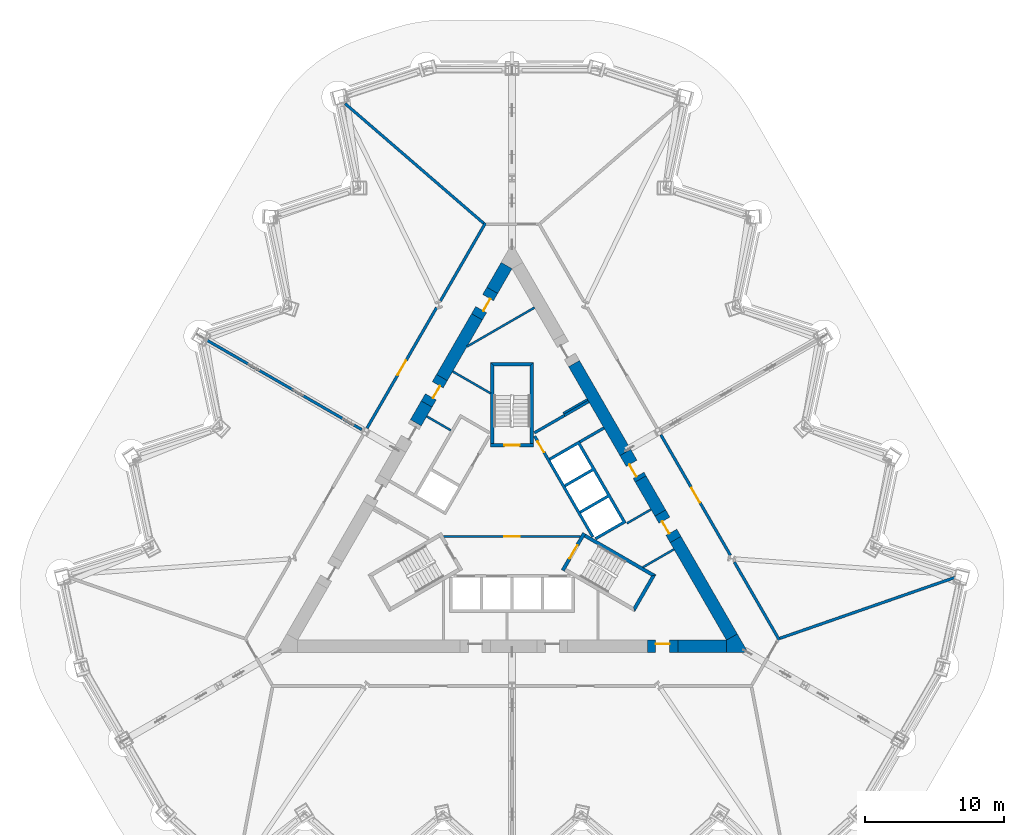
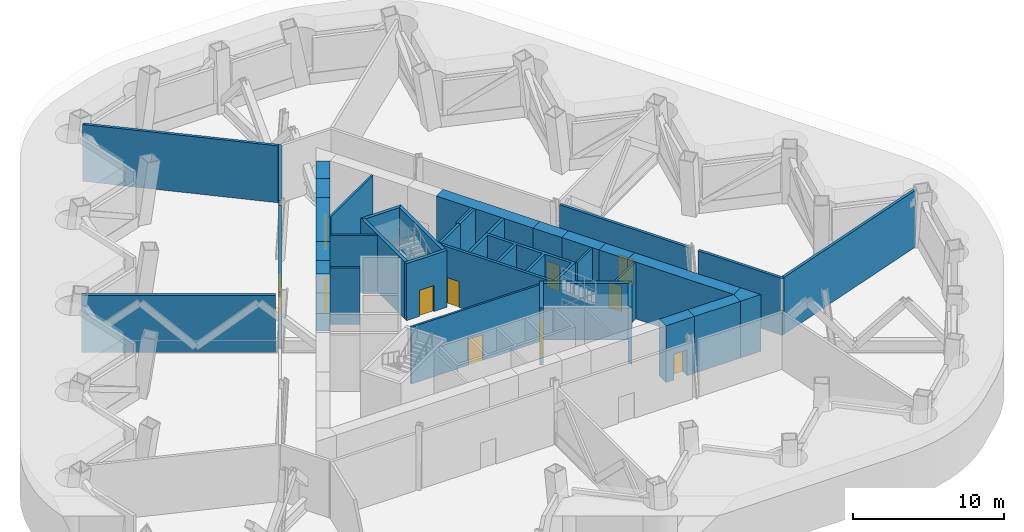
# One storey, part 6 of 14: 39 walls, 11 doors, 11 openings.
"""IFC4 building model written with IfcOpenShell, lengths in metres."""

from ifc_helpers import new_model, si_unit, direction, frame, frame_2d, origin, place, context, subcontext, project, spatial, polyline, rectangle, outline, extrude, material, layer, layer_set, type_object, element, fill, save


model = new_model("IFC4")

# Units and contexts
model_context = context("Model", 3, precision=1e-05, world=origin(), true_north=direction((0.0, 1.0)))
body_context = subcontext(model_context, "Body", "Model", "MODEL_VIEW")
ifc_project = project(units=[si_unit("LENGTHUNIT", "METRE"), si_unit("AREAUNIT", "SQUARE_METRE"), si_unit("VOLUMEUNIT", "CUBIC_METRE"), si_unit("PLANEANGLEUNIT", "RADIAN"), si_unit("MASSUNIT", "GRAM", prefix="KILO")], contexts=[model_context])

# Site, building, storey
site_placement = place(None, origin())
site = spatial("IfcSite", under=ifc_project, at=site_placement, CompositionType="ELEMENT")
building_placement = place(site_placement, origin())
building = spatial("IfcBuilding", under=site, at=building_placement, Name="Cormorant Prow Tower", CompositionType="ELEMENT")
storey_placement = place(building_placement, frame((0.0, 0.0, 94.60009765625)))
storey = spatial("IfcBuildingStorey", under=building, at=storey_placement, Name="L19", CompositionType="ELEMENT", Elevation=94.60009765625)

# Wall, opening, door
ifc_material_1 = material(Name="Gypsum board partition")
ifc_layer_1 = layer(ifc_material_1, 0.14990234375)
ifc_layer_set_1 = layer_set([ifc_layer_1], Name="Gypsum board partition")
wall_type_1 = type_object("IfcWallType", Name="Core partition 150", PredefinedType="PARTITIONING", material=ifc_layer_set_1)
wall_1_placement = place(storey_placement, frame((-4.941162109375, -1.449951171875, 0.0), z_axis=(0.0, 0.0, 1.0), x_axis=(1.0, 0.0, 0.0)))
wall_1 = element("IfcWall", 1, at=wall_1_placement, inside=storey, type_object=wall_type_1, Name="Firefighting lobby partition", PredefinedType="PARTITIONING", context=body_context, shape_type="SweptSolid", body=[
    extrude(rectangle(XDim=9.88232421875, YDim=0.14990234375, at=frame_2d((4.941162109375, 0.0))), origin(), (0.0, 0.0, 1.0), 4.599853515625),
])
opening_1_placement = place(wall_1_placement, frame((4.39111328125, 0.0, 0.0)))
opening_1 = element("IfcOpeningElement", 2, at=opening_1_placement, cuts=wall_1, Name="Opening L19-C06", PredefinedType="OPENING", context=body_context, shape_type="SweptSolid", body=[
    extrude(rectangle(XDim=1.10009765625, YDim=2.10009765625, at=frame_2d((0.550048828125, 1.050048828125))), frame((0.0, 0.0849609375, 0.0), z_axis=(0.0, -1.0, 0.0), x_axis=(1.0, 0.0, 0.0)), (0.0, 0.0, 1.0), 0.169921875),
])
ifc_material_2 = material(Name="Painted steel", Category="steel")
door_type_1 = type_object("IfcDoorType", Name="Firefighting lobby door 1100x2100", OperationType="NOTDEFINED", PredefinedType="DOOR", material=ifc_material_2)
door_1_placement = place(opening_1_placement, origin())
door_1 = element("IfcDoor", 3, at=door_1_placement, inside=storey, type_object=door_type_1, Name="Firefighting lobby door", OperationType="SINGLE_SWING_LEFT", OverallHeight=2.10009765625, OverallWidth=1.10009765625, PredefinedType="DOOR", context=body_context, shape_type="SweptSolid", body=[
    extrude(rectangle(XDim=1.10009765625, YDim=2.10009765625, at=frame_2d((0.550048828125, 1.050048828125))), frame((0.0, 0.02490234375, 0.0), z_axis=(0.0, -1.0, 0.0), x_axis=(1.0, 0.0, 0.0)), (0.0, 0.0, 1.0), 0.050048828125),
])
fill(opening_1, door_1)

# Walls
for number, where, z_axis, x_axis, name in (
    (4, (3.693359375, 7.4150390625, 0.0), (0.0, 0.0, 1.0), (0.866035824272, 0.499981950752, 0.0), "Service room partition"),
    (5, (8.268310546875, -0.509033203125, 0.0), (0.0, 0.0, 1.0), (0.866035824272, 0.499981950752, 0.0), "Service room partition"),
    (6, (-6.139404296875, 7.196044921875, 0.0), (0.0, 0.0, 1.0), (0.866035824272, -0.499981950752, 0.0), "Service room partition"),
):
    element("IfcWall", number, at=place(storey_placement, frame(where, z_axis=z_axis, x_axis=x_axis)), inside=storey, type_object=wall_type_1, Name=name, PredefinedType="PARTITIONING", context=body_context, shape_type="SweptSolid", body=[
        extrude(rectangle(XDim=2.0087890625, YDim=0.14990234375, at=frame_2d((1.00439453125, 0.0))), origin(), (0.0, 0.0, 1.0), 4.599853515625),
    ])
wall_2_placement = place(storey_placement, frame((-4.271240234375, 10.431640625, 0.0), z_axis=(0.0, 0.0, 1.0), x_axis=(0.866018279777, -0.50001233894, 0.0)))
element("IfcWall", 7, at=wall_2_placement, inside=storey, type_object=wall_type_1, Name="Service room partition", PredefinedType="PARTITIONING", context=body_context, shape_type="SweptSolid", body=[
    extrude(rectangle(XDim=3.1591796875, YDim=0.14990234375, at=frame_2d((1.57958984375, 0.0))), origin(), (0.0, 0.0, 1.0), 4.599853515625),
])
wall_3_placement = place(storey_placement, frame((11.664306640625, -2.373046875, 0.0), z_axis=(0.0, 0.0, 1.0), x_axis=(-0.866034804124, -0.499983717781, 0.0)))
element("IfcWall", 8, at=wall_3_placement, inside=storey, type_object=wall_type_1, Name="Service room partition", PredefinedType="PARTITIONING", context=body_context, shape_type="SweptSolid", body=[
    extrude(rectangle(XDim=2.58837890625, YDim=0.14990234375, at=frame_2d((1.294189453125, 0.0))), origin(), (0.0, 0.0, 1.0), 4.599853515625),
])
wall_4_placement = place(storey_placement, frame((1.61865234375, 15.0263671875, 0.0), z_axis=(0.0, 0.0, 1.0), x_axis=(-0.866015917575, -0.500016430238, 0.0)))
element("IfcWall", 9, at=wall_4_placement, inside=storey, type_object=wall_type_1, Name="Service room partition", PredefinedType="PARTITIONING", context=body_context, shape_type="SweptSolid", body=[
    extrude(rectangle(XDim=5.607177734375, YDim=0.14990234375, at=frame_2d((2.8037109375, 0.0))), origin(), (0.0, 0.0, 1.0), 4.599853515625),
])
ifc_material_3 = material(Name="Concrete 8000 psi", Category="concrete")
ifc_layer_2 = layer(ifc_material_3, 0.89990234375)
ifc_layer_set_2 = layer_set([ifc_layer_2], Name="Concrete 8000 psi")
wall_type_2 = type_object("IfcWallType", Name="Core shear wall 900", PredefinedType="SHEAR", material=ifc_layer_set_2)
wall_5_placement = place(storey_placement, frame((11.9462890625, -9.364990234375, 0.0), z_axis=(0.0, 0.0, 1.0), x_axis=(1.0, 0.0, 0.0)))
element("IfcWall", 10, at=wall_5_placement, inside=storey, type_object=wall_type_2, Name="Core wall", PredefinedType="SHEAR", context=body_context, shape_type="SweptSolid", body=[
    extrude(rectangle(XDim=3.494873046875, YDim=0.89990234375, at=frame_2d((1.74755859375, 0.0))), origin(), (0.0, 0.0, 1.0), 4.599853515625),
])
wall_6_placement = place(storey_placement, frame((15.830810546875, -8.68994140625, 0.0), z_axis=(0.0, 0.0, 1.0), x_axis=(-0.499995201193, 0.866028174359, 0.0)))
element("IfcWall", 11, at=wall_6_placement, inside=storey, type_object=wall_type_2, Name="Core wall", PredefinedType="SHEAR", context=body_context, shape_type="SweptSolid", body=[
    extrude(rectangle(XDim=8.10986328125, YDim=0.89990234375, at=frame_2d((4.054931640625, 0.0))), origin(), (0.0, 0.0, 1.0), 4.599853515625),
])
wall_7_placement = place(storey_placement, frame((8.160400390625, 4.595947265625, 0.0), z_axis=(0.0, 0.0, 1.0), x_axis=(-0.500012259336, 0.866018325738, 0.0)))
element("IfcWall", 12, at=wall_7_placement, inside=storey, type_object=wall_type_2, Name="Core wall", PredefinedType="SHEAR", context=body_context, shape_type="SweptSolid", body=[
    extrude(rectangle(XDim=7.389404296875, YDim=0.89990234375, at=frame_2d((3.69482421875, 0.0))), origin(), (0.0, 0.0, 1.0), 4.599853515625),
])
wall_8_placement = place(storey_placement, frame((10.67578125, 0.23876953125, 0.0), z_axis=(0.0, 0.0, 1.0), x_axis=(-0.499978737809, 0.866037679168, 0.0)))
element("IfcWall", 13, at=wall_8_placement, inside=storey, type_object=wall_type_2, Name="Core wall", PredefinedType="SHEAR", context=body_context, shape_type="SweptSolid", body=[
    extrude(rectangle(XDim=2.8310546875, YDim=0.89990234375, at=frame_2d((1.41552734375, 0.0))), origin(), (0.0, 0.0, 1.0), 4.599853515625),
])
wall_9_placement = place(storey_placement, frame((-2.52099609375, 14.363525390625, 0.0), z_axis=(0.0, 0.0, 1.0), x_axis=(-0.500014099723, -0.866017263153, 0.0)))
element("IfcWall", 14, at=wall_9_placement, inside=storey, type_object=wall_type_2, Name="Core wall", PredefinedType="SHEAR", context=body_context, shape_type="SweptSolid", body=[
    extrude(rectangle(XDim=5.048095703125, YDim=0.89990234375, at=frame_2d((2.52392578125, 0.0))), origin(), (0.0, 0.0, 1.0), 4.599853515625),
])
wall_10_placement = place(storey_placement, frame((-0.3896484375, 18.054931640625, 0.0), z_axis=(0.0, 0.0, 1.0), x_axis=(-0.500009360108, -0.866019999656, 0.0)))
element("IfcWall", 15, at=wall_10_placement, inside=storey, type_object=wall_type_2, Name="Core wall", PredefinedType="SHEAR", context=body_context, shape_type="SweptSolid", body=[
    extrude(rectangle(XDim=2.0625, YDim=0.89990234375, at=frame_2d((1.03125, 0.0))), origin(), (0.0, 0.0, 1.0), 4.599853515625),
])
wall_11_placement = place(storey_placement, frame((-6.14501953125, 8.086181640625, 0.0), z_axis=(0.0, 0.0, 1.0), x_axis=(-0.500047902311, -0.865997745606, 0.0)))
element("IfcWall", 16, at=wall_11_placement, inside=storey, type_object=wall_type_2, Name="Core wall", PredefinedType="SHEAR", context=body_context, shape_type="SweptSolid", body=[
    extrude(rectangle(XDim=1.558349609375, YDim=0.89990234375, at=frame_2d((0.779296875, 0.0))), origin(), (0.0, 0.0, 1.0), 4.599853515625),
])
wall_12_placement = place(storey_placement, origin())
element("IfcWall", 17, at=wall_12_placement, inside=storey, type_object=wall_type_2, Name="Core wall corner", PredefinedType="SHEAR", context=body_context, shape_type="SweptSolid", body=[
    extrude(outline(polyline([(15.441162109375, -9.81494140625), (15.441162109375, -8.9150390625), (16.220703125, -8.465087890625), (17.0, -9.81494140625), (15.441162109375, -9.81494140625)])), origin(), (0.0, 0.0, 1.0), 4.599853515625),
])

# Wall, opening, door
wall_13_placement = place(storey_placement, frame((9.746337890625, -9.364990234375, 0.0), z_axis=(0.0, 0.0, 1.0), x_axis=(1.0, 0.0, 0.0)))
wall_13 = element("IfcWall", 18, at=wall_13_placement, inside=storey, type_object=wall_type_2, Name="Core wall door panel", PredefinedType="SHEAR", context=body_context, shape_type="SweptSolid", body=[
    extrude(rectangle(XDim=2.199951171875, YDim=0.89990234375, at=frame_2d((1.10009765625, 0.0))), origin(), (0.0, 0.0, 1.0), 4.599853515625),
])
opening_2_placement = place(wall_13_placement, frame((0.60009765625, 0.0, 0.0)))
opening_2 = element("IfcOpeningElement", 19, at=opening_2_placement, cuts=wall_13, Name="Opening L19-C12", PredefinedType="OPENING", context=body_context, shape_type="SweptSolid", body=[
    extrude(rectangle(XDim=1.0, YDim=2.10009765625, at=frame_2d((0.5, 1.050048828125))), frame((0.0, 0.4599609375, 0.0), z_axis=(0.0, -1.0, 0.0), x_axis=(1.0, 0.0, 0.0)), (0.0, 0.0, 1.0), 0.919921875),
])
ifc_material_4 = material(Name="Painted steel", Category="steel")
door_type_2 = type_object("IfcDoorType", Name="Service door 1000x2100", OperationType="NOTDEFINED", PredefinedType="DOOR", material=ifc_material_4)
door_2_placement = place(opening_2_placement, origin())
door_2 = element("IfcDoor", 20, at=door_2_placement, inside=storey, type_object=door_type_2, Name="Core door, Plant spares store", OperationType="SINGLE_SWING_LEFT", OverallHeight=2.10009765625, OverallWidth=1.0, PredefinedType="DOOR", context=body_context, shape_type="SweptSolid", body=[
    extrude(rectangle(XDim=1.0, YDim=2.10009765625, at=frame_2d((0.5, 1.050048828125))), frame((0.0, 0.205078125, 0.0), z_axis=(0.0, -1.0, 0.0), x_axis=(1.0, 0.0, 0.0)), (0.0, 0.0, 1.0), 0.050048828125),
])
fill(opening_2, door_2)

wall_14_placement = place(storey_placement, frame((11.77587890625, -1.66650390625, 0.0), z_axis=(0.0, 0.0, 1.0), x_axis=(-0.50002983664, 0.866008176907, 0.0)))
wall_14 = element("IfcWall", 21, at=wall_14_placement, inside=storey, type_object=wall_type_2, Name="Core wall door panel", PredefinedType="SHEAR", context=body_context, shape_type="SweptSolid", body=[
    extrude(rectangle(XDim=2.199951171875, YDim=0.89990234375, at=frame_2d((1.10009765625, 0.0))), origin(), (0.0, 0.0, 1.0), 4.599853515625),
])
opening_3_placement = place(wall_14_placement, frame((0.60009765625, 0.0, 0.0)))
opening_3 = element("IfcOpeningElement", 22, at=opening_3_placement, cuts=wall_14, Name="Opening L19-C14", PredefinedType="OPENING", context=body_context, shape_type="SweptSolid", body=[
    extrude(rectangle(XDim=1.0, YDim=2.10009765625, at=frame_2d((0.5, 1.050048828125))), frame((0.0, 0.4599609375, 0.0), z_axis=(0.0, -1.0, 0.0), x_axis=(1.0, 0.0, 0.0)), (0.0, 0.0, 1.0), 0.919921875),
])
door_3_placement = place(opening_3_placement, origin())
door_3 = element("IfcDoor", 23, at=door_3_placement, inside=storey, type_object=door_type_2, Name="Core door, Plant maintenance store", OperationType="SINGLE_SWING_RIGHT", OverallHeight=2.10009765625, OverallWidth=1.0, PredefinedType="DOOR", context=body_context, shape_type="SweptSolid", body=[
    extrude(rectangle(XDim=1.0, YDim=2.10009765625, at=frame_2d((0.5, 1.050048828125))), frame((0.0, 0.205078125, 0.0), z_axis=(0.0, -1.0, 0.0), x_axis=(1.0, 0.0, 0.0)), (0.0, 0.0, 1.0), 0.050048828125),
])
fill(opening_3, door_3)

wall_15_placement = place(storey_placement, frame((9.26025390625, 2.690673828125, 0.0), z_axis=(0.0, 0.0, 1.0), x_axis=(-0.499946605688, 0.86605622881, 0.0)))
wall_15 = element("IfcWall", 24, at=wall_15_placement, inside=storey, type_object=wall_type_2, Name="Core wall door panel", PredefinedType="SHEAR", context=body_context, shape_type="SweptSolid", body=[
    extrude(rectangle(XDim=2.199951171875, YDim=0.89990234375, at=frame_2d((1.10009765625, 0.0))), origin(), (0.0, 0.0, 1.0), 4.599853515625),
])
opening_4_placement = place(wall_15_placement, frame((0.300048828125, 0.0, 0.0)))
opening_4 = element("IfcOpeningElement", 25, at=opening_4_placement, cuts=wall_15, Name="Opening L19-C15", PredefinedType="OPENING", context=body_context, shape_type="SweptSolid", body=[
    extrude(rectangle(XDim=1.0, YDim=2.10009765625, at=frame_2d((0.5, 1.050048828125))), frame((0.0, 0.4599609375, 0.0), z_axis=(0.0, -1.0, 0.0), x_axis=(1.0, 0.0, 0.0)), (0.0, 0.0, 1.0), 0.919921875),
])
door_4_placement = place(opening_4_placement, origin())
door_4 = element("IfcDoor", 26, at=door_4_placement, inside=storey, type_object=door_type_2, Name="Core door, Electrical switch room", OperationType="SINGLE_SWING_RIGHT", OverallHeight=2.10009765625, OverallWidth=1.0, PredefinedType="DOOR", context=body_context, shape_type="SweptSolid", body=[
    extrude(rectangle(XDim=1.0, YDim=2.10009765625, at=frame_2d((0.5, 1.050048828125))), frame((0.0, 0.205078125, 0.0), z_axis=(0.0, -1.0, 0.0), x_axis=(1.0, 0.0, 0.0)), (0.0, 0.0, 1.0), 0.050048828125),
])
fill(opening_4, door_4)

wall_16_placement = place(storey_placement, frame((-5.045166015625, 9.99169921875, 0.0), z_axis=(0.0, 0.0, 1.0), x_axis=(-0.499898558967, -0.866083962871, 0.0)))
wall_16 = element("IfcWall", 27, at=wall_16_placement, inside=storey, type_object=wall_type_2, Name="Core wall door panel", PredefinedType="SHEAR", context=body_context, shape_type="SweptSolid", body=[
    extrude(rectangle(XDim=2.2001953125, YDim=0.89990234375, at=frame_2d((1.10009765625, 0.0))), origin(), (0.0, 0.0, 1.0), 4.599853515625),
])
opening_5_placement = place(wall_16_placement, frame((0.60009765625, 0.0, 0.0)))
opening_5 = element("IfcOpeningElement", 28, at=opening_5_placement, cuts=wall_16, Name="Opening L19-C17", PredefinedType="OPENING", context=body_context, shape_type="SweptSolid", body=[
    extrude(rectangle(XDim=1.0, YDim=2.10009765625, at=frame_2d((0.5, 1.050048828125))), frame((0.0, 0.4599609375, 0.0), z_axis=(0.0, -1.0, 0.0), x_axis=(1.0, 0.0, 0.0)), (0.0, 0.0, 1.0), 0.919921875),
])
door_5_placement = place(opening_5_placement, origin())
door_5 = element("IfcDoor", 29, at=door_5_placement, inside=storey, type_object=door_type_2, Name="Core door, Plant waste store", OperationType="SINGLE_SWING_RIGHT", OverallHeight=2.10009765625, OverallWidth=1.0, PredefinedType="DOOR", context=body_context, shape_type="SweptSolid", body=[
    extrude(rectangle(XDim=1.0, YDim=2.10009765625, at=frame_2d((0.5, 1.050048828125))), frame((0.0, 0.205078125, 0.0), z_axis=(0.0, -1.0, 0.0), x_axis=(1.0, 0.0, 0.0)), (0.0, 0.0, 1.0), 0.050048828125),
])
fill(opening_5, door_5)

wall_17_placement = place(storey_placement, frame((-1.4208984375, 16.268798828125, 0.0), z_axis=(0.0, 0.0, 1.0), x_axis=(-0.50002983664, -0.866008176907, 0.0)))
wall_17 = element("IfcWall", 30, at=wall_17_placement, inside=storey, type_object=wall_type_2, Name="Core wall door panel", PredefinedType="SHEAR", context=body_context, shape_type="SweptSolid", body=[
    extrude(rectangle(XDim=2.199951171875, YDim=0.89990234375, at=frame_2d((1.10009765625, 0.0))), origin(), (0.0, 0.0, 1.0), 4.599853515625),
])
opening_6_placement = place(wall_17_placement, frame((0.60009765625, 0.0, 0.0)))
opening_6 = element("IfcOpeningElement", 31, at=opening_6_placement, cuts=wall_17, Name="Opening L19-C19", PredefinedType="OPENING", context=body_context, shape_type="SweptSolid", body=[
    extrude(rectangle(XDim=1.0, YDim=2.10009765625, at=frame_2d((0.5, 1.050048828125))), frame((0.0, 0.4599609375, 0.0), z_axis=(0.0, -1.0, 0.0), x_axis=(1.0, 0.0, 0.0)), (0.0, 0.0, 1.0), 0.919921875),
])
door_6_placement = place(opening_6_placement, origin())
door_6 = element("IfcDoor", 32, at=door_6_placement, inside=storey, type_object=door_type_2, Name="Core door, Electrical switch room", OperationType="SINGLE_SWING_LEFT", OverallHeight=2.10009765625, OverallWidth=1.0, PredefinedType="DOOR", context=body_context, shape_type="SweptSolid", body=[
    extrude(rectangle(XDim=1.0, YDim=2.10009765625, at=frame_2d((0.5, 1.050048828125))), frame((0.0, 0.205078125, 0.0), z_axis=(0.0, -1.0, 0.0), x_axis=(1.0, 0.0, 0.0)), (0.0, 0.0, 1.0), 0.050048828125),
])
fill(opening_6, door_6)

ifc_material_5 = material(Name="Gypsum board corridor wall")
ifc_layer_3 = layer(ifc_material_5, 0.199951171875)
ifc_layer_set_3 = layer_set([ifc_layer_3], Name="Gypsum board corridor wall")
wall_type_3 = type_object("IfcWallType", Name="Corridor wall 200", PredefinedType="PARTITIONING", material=ifc_layer_set_3)
wall_18_placement = place(storey_placement, frame((-10.438720703125, 6.349853515625, 0.0), z_axis=(0.0, 0.0, 1.0), x_axis=(0.50001002959, 0.86601961312, 0.0)))
wall_18 = element("IfcWall", 33, at=wall_18_placement, inside=storey, type_object=wall_type_3, Name="Corridor wall", PredefinedType="PARTITIONING", context=body_context, shape_type="SweptSolid", body=[
    extrude(rectangle(XDim=10.018798828125, YDim=0.199951171875, at=frame_2d((5.00927734375, 0.0))), origin(), (0.0, 0.0, 1.0), 4.599853515625),
])
opening_7_placement = place(wall_18_placement, frame((4.409423828125, 0.0, 0.0)))
opening_7 = element("IfcOpeningElement", 34, at=opening_7_placement, cuts=wall_18, Name="Opening L19-F07", PredefinedType="OPENING", context=body_context, shape_type="SweptSolid", body=[
    extrude(rectangle(XDim=1.199951171875, YDim=2.10009765625, at=frame_2d((0.60009765625, 1.050048828125))), frame((0.0, 0.10986328125, 0.0), z_axis=(0.0, -1.0, 0.0), x_axis=(1.0, 0.0, 0.0)), (0.0, 0.0, 1.0), 0.219970703125),
])
ifc_material_6 = material(Name="Timber door leaf", Category="wood")
door_type_3 = type_object("IfcDoorType", Name="Plant room door 1200x2100", OperationType="NOTDEFINED", PredefinedType="DOOR", material=ifc_material_6)
door_7_placement = place(opening_7_placement, origin())
door_7 = element("IfcDoor", 35, at=door_7_placement, inside=storey, type_object=door_type_3, Name="Chiller plant room door", OperationType="SINGLE_SWING_LEFT", OverallHeight=2.10009765625, OverallWidth=1.199951171875, PredefinedType="DOOR", context=body_context, shape_type="SweptSolid", body=[
    extrude(rectangle(XDim=1.199951171875, YDim=2.10009765625, at=frame_2d((0.60009765625, 1.050048828125))), frame((0.0, 0.02490234375, 0.0), z_axis=(0.0, -1.0, 0.0), x_axis=(1.0, 0.0, 0.0)), (0.0, 0.0, 1.0), 0.050048828125),
])
fill(opening_7, door_7)

wall_19_placement = place(storey_placement, frame((10.718505859375, 5.865234375, 0.0), z_axis=(0.0, 0.0, 1.0), x_axis=(0.49999175339, -0.866030164915, 0.0)))
wall_19 = element("IfcWall", 36, at=wall_19_placement, inside=storey, type_object=wall_type_3, Name="Corridor wall", PredefinedType="PARTITIONING", context=body_context, shape_type="SweptSolid", body=[
    extrude(rectangle(XDim=10.018798828125, YDim=0.199951171875, at=frame_2d((5.00927734375, 0.0))), origin(), (0.0, 0.0, 1.0), 4.599853515625),
])
opening_8_placement = place(wall_19_placement, frame((4.409423828125, 0.0, 0.0)))
opening_8 = element("IfcOpeningElement", 37, at=opening_8_placement, cuts=wall_19, Name="Opening L19-F06", PredefinedType="OPENING", context=body_context, shape_type="SweptSolid", body=[
    extrude(rectangle(XDim=1.199951171875, YDim=2.10009765625, at=frame_2d((0.60009765625, 1.050048828125))), frame((0.0, 0.10986328125, 0.0), z_axis=(0.0, -1.0, 0.0), x_axis=(1.0, 0.0, 0.0)), (0.0, 0.0, 1.0), 0.219970703125),
])
door_8_placement = place(opening_8_placement, origin())
door_8 = element("IfcDoor", 38, at=door_8_placement, inside=storey, type_object=door_type_3, Name="Air handling plant room door", OperationType="SINGLE_SWING_LEFT", OverallHeight=2.10009765625, OverallWidth=1.199951171875, PredefinedType="DOOR", context=body_context, shape_type="SweptSolid", body=[
    extrude(rectangle(XDim=1.199951171875, YDim=2.10009765625, at=frame_2d((0.60009765625, 1.050048828125))), frame((0.0, 0.02490234375, 0.0), z_axis=(0.0, -1.0, 0.0), x_axis=(1.0, 0.0, 0.0)), (0.0, 0.0, 1.0), 0.050048828125),
])
fill(opening_8, door_8)

# Walls
wall_20_placement = place(storey_placement, frame((-5.1494140625, 15.510986328125, 0.0), z_axis=(0.0, 0.0, 1.0), x_axis=(0.500001069878, 0.866024786089, 0.0)))
element("IfcWall", 39, at=wall_20_placement, inside=storey, type_object=wall_type_3, Name="Corridor wall", PredefinedType="PARTITIONING", context=body_context, shape_type="SweptSolid", body=[
    extrude(rectangle(XDim=6.47265625, YDim=0.199951171875, at=frame_2d((3.236328125, 0.0))), origin(), (0.0, 0.0, 1.0), 4.599853515625),
])
wall_21_placement = place(storey_placement, frame((16.007568359375, -3.2958984375, 0.0), z_axis=(0.0, 0.0, 1.0), x_axis=(0.499984737558, -0.86603421538, 0.0)))
element("IfcWall", 40, at=wall_21_placement, inside=storey, type_object=wall_type_3, Name="Corridor wall", PredefinedType="PARTITIONING", context=body_context, shape_type="SweptSolid", body=[
    extrude(rectangle(XDim=6.472900390625, YDim=0.199951171875, at=frame_2d((3.236328125, 0.0))), origin(), (0.0, 0.0, 1.0), 4.599853515625),
])
ifc_material_7 = material(Name="Gypsum board demising wall")
ifc_layer_4 = layer(ifc_material_7, 0.199951171875)
ifc_layer_set_4 = layer_set([ifc_layer_4], Name="Gypsum board demising wall")
wall_type_4 = type_object("IfcWallType", Name="Demising wall 200", PredefinedType="PARTITIONING", material=ifc_layer_set_4)
wall_22_placement = place(storey_placement, frame((19.288330078125, -8.781982421875, 0.0), z_axis=(0.0, 0.0, 1.0), x_axis=(0.944544719933, 0.328382813263, 0.0)))
element("IfcWall", 41, at=wall_22_placement, inside=storey, type_object=wall_type_4, Name="Demising wall", PredefinedType="PARTITIONING", context=body_context, shape_type="SweptSolid", body=[
    extrude(rectangle(XDim=13.330322265625, YDim=0.199951171875, at=frame_2d((6.6650390625, 0.0))), origin(), (0.0, 0.0, 1.0), 4.599853515625),
])
wall_23_placement = place(storey_placement, frame((-12.01513671875, 29.715576171875, 0.0), z_axis=(0.0, 0.0, 1.0), x_axis=(0.756656024203, -0.653813169826, 0.0)))
element("IfcWall", 42, at=wall_23_placement, inside=storey, type_object=wall_type_4, Name="Demising wall", PredefinedType="PARTITIONING", context=body_context, shape_type="SweptSolid", body=[
    extrude(rectangle(XDim=13.184814453125, YDim=0.199951171875, at=frame_2d((6.59228515625, 0.0))), origin(), (0.0, 0.0, 1.0), 4.599853515625),
])
wall_24_placement = place(storey_placement, frame((-21.947265625, 12.671142578125, 0.0), z_axis=(0.0, 0.0, 1.0), x_axis=(0.866026729935, -0.499997703033, 0.0)))
element("IfcWall", 43, at=wall_24_placement, inside=storey, type_object=wall_type_4, Name="Demising wall", PredefinedType="PARTITIONING", context=body_context, shape_type="SweptSolid", body=[
    extrude(rectangle(XDim=12.84765625, YDim=0.199951171875, at=frame_2d((6.423828125, 0.0))), origin(), (0.0, 0.0, 1.0), 4.599853515625),
])

# Wall, opening, door
ifc_material_8 = material(Name="Concrete 5000 psi", Category="concrete")
ifc_layer_5 = layer(ifc_material_8, 0.199951171875)
ifc_layer_set_5 = layer_set([ifc_layer_5], Name="Concrete 5000 psi")
wall_type_5 = type_object("IfcWallType", Name="Lift lobby wall 200", PredefinedType="SOLIDWALL", material=ifc_layer_set_5)
wall_25_placement = place(storey_placement, frame((5.817138671875, -1.4755859375, 0.0), z_axis=(0.0, 0.0, 1.0), x_axis=(-0.500002616675, 0.866023893041, 0.0)))
wall_25 = element("IfcWall", 44, at=wall_25_placement, inside=storey, type_object=wall_type_5, Name="Lift lobby wall, ENE block", PredefinedType="SOLIDWALL", context=body_context, shape_type="SweptSolid", body=[
    extrude(rectangle(XDim=8.373046875, YDim=0.199951171875, at=frame_2d((4.1865234375, 0.0))), origin(), (0.0, 0.0, 1.0), 4.599853515625),
])
opening_9_placement = place(wall_25_placement, frame((7.03662109375, 0.0, 0.0)))
opening_9 = element("IfcOpeningElement", 45, at=opening_9_placement, cuts=wall_25, Name="Opening L19-C04", PredefinedType="OPENING", context=body_context, shape_type="SweptSolid", body=[
    extrude(rectangle(XDim=0.89990234375, YDim=2.10009765625, at=frame_2d((0.449951171875, 1.050048828125))), frame((0.0, 0.10986328125, 0.0), z_axis=(0.0, -1.0, 0.0), x_axis=(1.0, 0.0, 0.0)), (0.0, 0.0, 1.0), 0.219970703125),
])
ifc_material_9 = material(Name="Painted steel", Category="steel")
door_type_4 = type_object("IfcDoorType", Name="Service door 900x2100", OperationType="NOTDEFINED", PredefinedType="DOOR", material=ifc_material_9)
door_9_placement = place(opening_9_placement, origin())
door_9 = element("IfcDoor", 46, at=door_9_placement, inside=storey, type_object=door_type_4, Name="Service door, Plant spares store", OperationType="SINGLE_SWING_RIGHT", OverallHeight=2.10009765625, OverallWidth=0.89990234375, PredefinedType="DOOR", context=body_context, shape_type="SweptSolid", body=[
    extrude(rectangle(XDim=0.89990234375, YDim=2.10009765625, at=frame_2d((0.449951171875, 1.050048828125))), frame((0.0, 0.02490234375, 0.0), z_axis=(0.0, -1.0, 0.0), x_axis=(1.0, 0.0, 0.0)), (0.0, 0.0, 1.0), 0.050048828125),
])
fill(opening_9, door_9)

# Walls
ifc_material_10 = material(Name="Concrete 8000 psi", Category="concrete")
ifc_layer_6 = layer(ifc_material_10, 0.199951171875)
ifc_layer_set_6 = layer_set([ifc_layer_6], Name="Concrete 8000 psi")
wall_type_6 = type_object("IfcWallType", Name="Lift shaft wall 200", PredefinedType="SHEAR", material=ifc_layer_set_6)
wall_26_placement = place(storey_placement, origin())
element("IfcWall", 47, at=wall_26_placement, inside=storey, type_object=wall_type_6, Name="Lift shaft walls, ENE block", PredefinedType="SHEAR", context=body_context, shape_type="SweptSolid", body=[
    extrude(outline(polyline([(1.560546875, 6.09716796875), (3.730712890625, 7.35009765625), (3.830810546875, 7.177001953125), (1.660400390625, 5.923828125), (1.560546875, 6.09716796875)])), origin(), (0.0, 0.0, 1.0), 4.599853515625),
])
wall_27_placement = place(storey_placement, origin())
element("IfcWall", 48, at=wall_27_placement, inside=storey, type_object=wall_type_6, Name="Lift shaft walls, ENE block", PredefinedType="SHEAR", context=body_context, shape_type="SweptSolid", body=[
    extrude(outline(polyline([(2.660400390625, 4.19189453125), (4.830810546875, 5.44482421875), (8.230712890625, -0.444091796875), (6.060546875, -1.697021484375), (5.96044921875, -1.52392578125), (7.952392578125, -0.373779296875), (6.952392578125, 1.358154296875), (4.96044921875, 0.2080078125), (4.860595703125, 0.38134765625), (6.852294921875, 1.53125), (5.852294921875, 3.263427734375), (3.860595703125, 2.11328125), (3.760498046875, 2.28662109375), (5.75244140625, 3.4365234375), (4.75244140625, 5.168701171875), (2.760498046875, 4.018798828125), (2.660400390625, 4.19189453125)])), origin(), (0.0, 0.0, 1.0), 4.599853515625),
])
wall_28_placement = place(storey_placement, frame((4.880859375, 5.3583984375, 0.0), z_axis=(0.0, 0.0, 1.0), x_axis=(0.866035824272, 0.499981950752, 0.0)))
element("IfcWall", 49, at=wall_28_placement, inside=storey, type_object=wall_type_6, Name="Store side wall", PredefinedType="SHEAR", context=body_context, shape_type="SweptSolid", body=[
    extrude(rectangle(XDim=2.0087890625, YDim=0.199951171875, at=frame_2d((1.00439453125, 0.0))), origin(), (0.0, 0.0, 1.0), 4.599853515625),
])
wall_29_placement = place(storey_placement, frame((3.78076171875, 7.263427734375, 0.0), z_axis=(0.0, 0.0, 1.0), x_axis=(0.865983199114, 0.50007309351, 0.0)))
element("IfcWall", 50, at=wall_29_placement, inside=storey, type_object=wall_type_6, Name="Store side wall", PredefinedType="SHEAR", context=body_context, shape_type="SweptSolid", body=[
    extrude(rectangle(XDim=2.009033203125, YDim=0.199951171875, at=frame_2d((1.00439453125, 0.0))), origin(), (0.0, 0.0, 1.0), 4.599853515625),
])
ifc_material_11 = material(Name="Concrete 8000 psi", Category="concrete")
ifc_layer_7 = layer(ifc_material_11, 0.25)
ifc_layer_set_7 = layer_set([ifc_layer_7], Name="Concrete 8000 psi")
wall_type_7 = type_object("IfcWallType", Name="Stair wall 250", PredefinedType="SHEAR", material=ifc_layer_set_7)
wall_30_placement = place(storey_placement, origin())
element("IfcWall", 51, at=wall_30_placement, inside=storey, type_object=wall_type_7, Name="Stair ST2 enclosure wall (end)", PredefinedType="SHEAR", context=body_context, shape_type="SweptSolid", body=[
    extrude(outline(polyline([(8.82958984375, -6.880615234375), (10.37353515625, -4.206298828125), (10.031982421875, -4.2978515625), (8.738037109375, -6.5390625), (8.82958984375, -6.880615234375)])), origin(), (0.0, 0.0, 1.0), 4.599853515625),
])
wall_31_placement = place(storey_placement, origin())
element("IfcWall", 52, at=wall_31_placement, inside=storey, type_object=wall_type_7, Name="Stair ST2 enclosure wall (flank)", PredefinedType="SHEAR", context=body_context, shape_type="SweptSolid", body=[
    extrude(outline(polyline([(10.031982421875, -4.2978515625), (10.37353515625, -4.206298828125), (5.30712890625, -1.28125), (5.18212890625, -1.497802734375), (10.031982421875, -4.2978515625)])), origin(), (0.0, 0.0, 1.0), 4.599853515625),
])

# Wall, opening, door
wall_32_placement = place(storey_placement, frame((3.655029296875, -3.89306640625, 0.0), z_axis=(0.0, 0.0, 1.0), x_axis=(0.499982516597, 0.866035497597, 0.0)))
wall_32 = element("IfcWall", 53, at=wall_32_placement, inside=storey, type_object=wall_type_7, Name="Stair ST2 door wall", PredefinedType="SHEAR", context=body_context, shape_type="SweptSolid", body=[
    extrude(rectangle(XDim=3.087890625, YDim=0.25, at=frame_2d((1.5439453125, 0.0))), origin(), (0.0, 0.0, 1.0), 4.599853515625),
])
opening_10_placement = place(wall_32_placement, frame((0.993896484375, 0.0, 0.0)))
opening_10 = element("IfcOpeningElement", 54, at=opening_10_placement, cuts=wall_32, Name="Opening L19-C08", PredefinedType="OPENING", context=body_context, shape_type="SweptSolid", body=[
    extrude(rectangle(XDim=1.10009765625, YDim=2.10009765625, at=frame_2d((0.550048828125, 1.050048828125))), frame((0.0, 0.135009765625, 0.0), z_axis=(0.0, -1.0, 0.0), x_axis=(1.0, 0.0, 0.0)), (0.0, 0.0, 1.0), 0.27001953125),
])
ifc_material_12 = material(Name="Painted steel", Category="steel")
door_type_5 = type_object("IfcDoorType", Name="Stair door 1100x2100", OperationType="NOTDEFINED", PredefinedType="DOOR", material=ifc_material_12)
door_10_placement = place(opening_10_placement, origin())
door_10 = element("IfcDoor", 55, at=door_10_placement, inside=storey, type_object=door_type_5, Name="Stair ST2 door", OperationType="SINGLE_SWING_RIGHT", OverallHeight=2.10009765625, OverallWidth=1.10009765625, PredefinedType="DOOR", context=body_context, shape_type="SweptSolid", body=[
    extrude(rectangle(XDim=1.10009765625, YDim=2.10009765625, at=frame_2d((0.550048828125, 1.050048828125))), frame((0.0, 0.02490234375, 0.0), z_axis=(0.0, -1.0, 0.0), x_axis=(1.0, 0.0, 0.0)), (0.0, 0.0, 1.0), 0.050048828125),
])
fill(opening_10, door_10)

# Walls
wall_33_placement = place(storey_placement, origin())
element("IfcWall", 56, at=wall_33_placement, inside=storey, type_object=wall_type_7, Name="Stair ST3 enclosure wall (flank)", PredefinedType="SHEAR", context=body_context, shape_type="SweptSolid", body=[
    extrude(outline(polyline([(1.5439453125, 5.23681640625), (1.5439453125, 11.0869140625), (1.2939453125, 10.8369140625), (1.2939453125, 5.23681640625), (1.5439453125, 5.23681640625)])), origin(), (0.0, 0.0, 1.0), 4.599853515625),
])
wall_34_placement = place(storey_placement, origin())
element("IfcWall", 57, at=wall_34_placement, inside=storey, type_object=wall_type_7, Name="Stair ST3 enclosure wall (end)", PredefinedType="SHEAR", context=body_context, shape_type="SweptSolid", body=[
    extrude(outline(polyline([(1.5439453125, 11.0869140625), (-1.5439453125, 11.0869140625), (-1.2939453125, 10.8369140625), (1.2939453125, 10.8369140625), (1.5439453125, 11.0869140625)])), origin(), (0.0, 0.0, 1.0), 4.599853515625),
])
wall_35_placement = place(storey_placement, origin())
element("IfcWall", 58, at=wall_35_placement, inside=storey, type_object=wall_type_7, Name="Stair ST3 enclosure wall (flank)", PredefinedType="SHEAR", context=body_context, shape_type="SweptSolid", body=[
    extrude(outline(polyline([(-1.2939453125, 10.8369140625), (-1.5439453125, 11.0869140625), (-1.5439453125, 5.23681640625), (-1.2939453125, 5.23681640625), (-1.2939453125, 10.8369140625)])), origin(), (0.0, 0.0, 1.0), 4.599853515625),
])

# Wall, opening, door
wall_36_placement = place(storey_placement, frame((1.5439453125, 5.11181640625, 0.0), z_axis=(0.0, 0.0, 1.0), x_axis=(-1.0, 0.0, 0.0)))
wall_36 = element("IfcWall", 59, at=wall_36_placement, inside=storey, type_object=wall_type_7, Name="Stair ST3 door wall", PredefinedType="SHEAR", context=body_context, shape_type="SweptSolid", body=[
    extrude(rectangle(XDim=3.087890625, YDim=0.25, at=frame_2d((1.5439453125, 0.0))), origin(), (0.0, 0.0, 1.0), 4.599853515625),
])
opening_11_placement = place(wall_36_placement, frame((0.993896484375, 0.0, 0.0)))
opening_11 = element("IfcOpeningElement", 60, at=opening_11_placement, cuts=wall_36, Name="Opening L19-C09", PredefinedType="OPENING", context=body_context, shape_type="SweptSolid", body=[
    extrude(rectangle(XDim=1.10009765625, YDim=2.10009765625, at=frame_2d((0.550048828125, 1.050048828125))), frame((0.0, 0.135009765625, 0.0), z_axis=(0.0, -1.0, 0.0), x_axis=(1.0, 0.0, 0.0)), (0.0, 0.0, 1.0), 0.27001953125),
])
door_11_placement = place(opening_11_placement, origin())
door_11 = element("IfcDoor", 61, at=door_11_placement, inside=storey, type_object=door_type_5, Name="Stair ST3 door", OperationType="SINGLE_SWING_RIGHT", OverallHeight=2.10009765625, OverallWidth=1.10009765625, PredefinedType="DOOR", context=body_context, shape_type="SweptSolid", body=[
    extrude(rectangle(XDim=1.10009765625, YDim=2.10009765625, at=frame_2d((0.550048828125, 1.050048828125))), frame((0.0, 0.02490234375, 0.0), z_axis=(0.0, -1.0, 0.0), x_axis=(1.0, 0.0, 0.0)), (0.0, 0.0, 1.0), 0.050048828125),
])
fill(opening_11, door_11)

save(model, "model.ifc")
